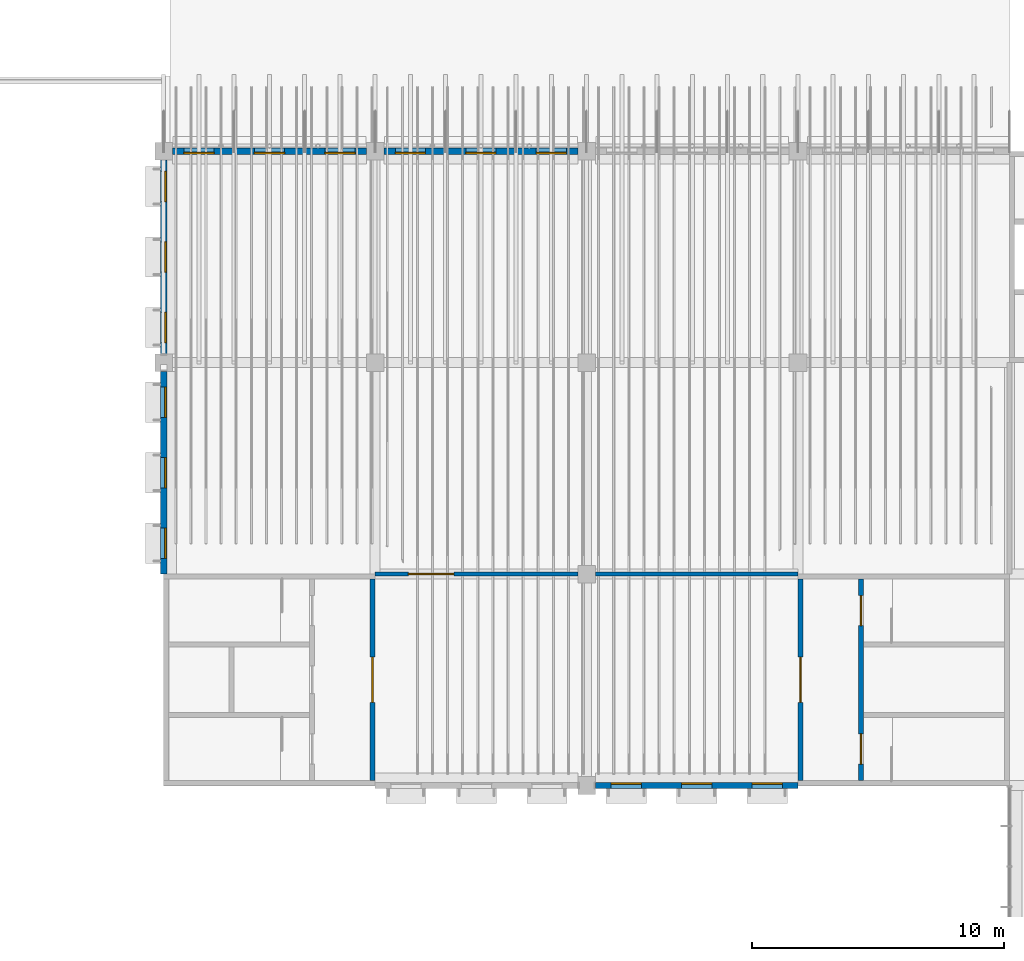
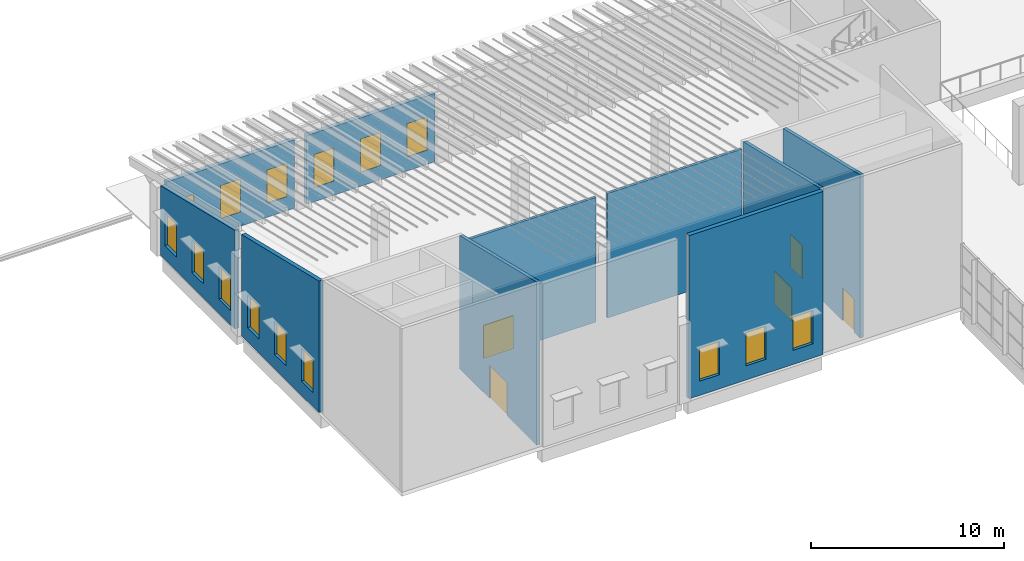
# One storey, part 24 of 82: 15 windows, 10 walls, 5 doors, 20 openings.
"""IFC4 building model written with IfcOpenShell, lengths in metres."""

from ifc_helpers import new_model, si_unit, direction, frame, frame_2d, origin, place, context, subcontext, project, spatial, polyline, rectangle, outline, extrude, material, layer, layer_set, type_object, element, fill, save


model = new_model("IFC4")

# Units and contexts
model_context = context("Model", 3, precision=1e-05, world=origin(), true_north=direction((0.0, 1.0)))
body_context = subcontext(model_context, "Body", "Model", "MODEL_VIEW")
ifc_project = project(units=[si_unit("LENGTHUNIT", "METRE"), si_unit("AREAUNIT", "SQUARE_METRE"), si_unit("VOLUMEUNIT", "CUBIC_METRE"), si_unit("PLANEANGLEUNIT", "RADIAN"), si_unit("MASSUNIT", "GRAM", prefix="KILO")], contexts=[model_context])

# Site, building, storey
site_placement = place(None, origin())
site = spatial("IfcSite", under=ifc_project, at=site_placement, CompositionType="ELEMENT")
building_placement = place(site_placement, origin())
building = spatial("IfcBuilding", under=site, at=building_placement, Name="Almond Square Museum", CompositionType="ELEMENT")
storey_placement = place(building_placement, frame((0.0, 0.0, 20.0)))
storey = spatial("IfcBuildingStorey", under=building, at=storey_placement, Name="L03", CompositionType="ELEMENT", Elevation=20.0)

# Wall, opening, door
ifc_material_1 = material(Name="Plasterboard on steel stud", Category="steel")
ifc_layer_1 = layer(ifc_material_1, 0.14990234375)
ifc_layer_set_1 = layer_set([ifc_layer_1], Name="Plasterboard on steel stud")
wall_type_1 = type_object("IfcWallType", Name="Partition 150 plasterboard on steel stud", PredefinedType="PARTITIONING", material=ifc_layer_set_1)
wall_1_placement = place(storey_placement, frame((48.0, 92.39990234375, 0.0), z_axis=(0.0, 0.0, 1.0), x_axis=(1.0, 0.0, 0.0)))
wall_1 = element("IfcWall", 1, at=wall_1_placement, inside=storey, type_object=wall_type_1, Name="L03 partition 7", PredefinedType="PARTITIONING", context=body_context, shape_type="SweptSolid", body=[
    extrude(rectangle(XDim=8.050048828125, YDim=0.14990234375, at=frame_2d((4.02490234375, 0.0))), origin(), (0.0, 0.0, 1.0), 7.89990234375),
])
opening_1_placement = place(wall_1_placement, frame((1.324951171875, 0.0, 0.0)))
opening_1 = element("IfcOpeningElement", 2, at=opening_1_placement, cuts=wall_1, Name="Opening D3104", PredefinedType="OPENING", context=body_context, shape_type="SweptSolid", body=[
    extrude(rectangle(XDim=1.800048828125, YDim=2.10009765625, at=frame_2d((0.89990234375, 1.050048828125))), frame((0.0, 0.0849609375, 0.0), z_axis=(0.0, -1.0, 0.0), x_axis=(1.0, 0.0, 0.0)), (0.0, 0.0, 1.0), 0.169921875),
])
ifc_material_2 = material(Name="Timber", Category="wood")
door_type_1 = type_object("IfcDoorType", Name="Door 1800 x 2100 timber double", OperationType="NOTDEFINED", PredefinedType="DOOR", material=ifc_material_2)
door_1_placement = place(opening_1_placement, origin())
door_1 = element("IfcDoor", 3, at=door_1_placement, inside=storey, type_object=door_type_1, Name="L03 door Library to Library Concourse", OperationType="DOUBLE_DOOR_SINGLE_SWING", OverallHeight=2.10009765625, OverallWidth=1.800048828125, PredefinedType="DOOR", context=body_context, shape_type="SweptSolid", body=[
    extrude(rectangle(XDim=1.800048828125, YDim=2.10009765625, at=frame_2d((0.89990234375, 1.050048828125))), frame((0.0, 0.02490234375, 0.0), z_axis=(0.0, -1.0, 0.0), x_axis=(1.0, 0.0, 0.0)), (0.0, 0.0, 1.0), 0.050048828125),
])
fill(opening_1, door_1)

# Wall
wall_2_placement = place(storey_placement, frame((56.75, 92.39990234375, 0.0), z_axis=(0.0, 0.0, 1.0), x_axis=(1.0, 0.0, 0.0)))
element("IfcWall", 4, at=wall_2_placement, inside=storey, type_object=wall_type_1, Name="L03 partition 8", PredefinedType="PARTITIONING", context=body_context, shape_type="SweptSolid", body=[
    extrude(rectangle(XDim=8.050048828125, YDim=0.14990234375, at=frame_2d((4.02490234375, 0.0))), origin(), (0.0, 0.0, 1.0), 7.89990234375),
])

# Wall, openings, windows
ifc_material_3 = material(Name="Precast concrete C40/50", Category="concrete")
ifc_layer_2 = layer(ifc_material_3, 0.25)
ifc_layer_set_2 = layer_set([ifc_layer_2], Name="Precast concrete C40/50")
wall_type_2 = type_object("IfcWallType", Name="Precast concrete panel wall 250 with coral limestone piers", PredefinedType="SOLIDWALL", material=ifc_layer_set_2)
wall_3_placement = place(storey_placement, frame((48.35009765625, 109.199951171875, 0.0), z_axis=(0.0, 0.0, 1.0), x_axis=(1.0, 0.0, 0.0)))
wall_3 = element("IfcWall", 5, at=wall_3_placement, inside=storey, type_object=wall_type_2, Name="External wall W2 V4N L03 N03", PredefinedType="SOLIDWALL", context=body_context, shape_type="SweptSolid", body=[
    extrude(rectangle(XDim=7.699951171875, YDim=0.25, at=frame_2d((3.85009765625, 0.0))), origin(), (0.0, 0.0, 1.0), 4.349365234375),
])
opening_2_placement = place(wall_3_placement, frame((0.449951171875, 0.0, 0.89990234375)))
opening_2 = element("IfcOpeningElement", 6, at=opening_2_placement, cuts=wall_3, Name="Opening W3063", PredefinedType="OPENING", context=body_context, shape_type="SweptSolid", body=[
    extrude(rectangle(XDim=1.199951171875, YDim=2.10009765625, at=frame_2d((0.60009765625, 1.050048828125))), frame((0.0, 0.135009765625, 0.0), z_axis=(0.0, -1.0, 0.0), x_axis=(1.0, 0.0, 0.0)), (0.0, 0.0, 1.0), 0.27001953125),
])
opening_3_placement = place(wall_3_placement, frame((3.25, 0.0, 0.89990234375)))
opening_3 = element("IfcOpeningElement", 7, at=opening_3_placement, cuts=wall_3, Name="Opening W3064", PredefinedType="OPENING", context=body_context, shape_type="SweptSolid", body=[
    extrude(rectangle(XDim=1.199951171875, YDim=2.10009765625, at=frame_2d((0.60009765625, 1.050048828125))), frame((0.0, 0.135009765625, 0.0), z_axis=(0.0, -1.0, 0.0), x_axis=(1.0, 0.0, 0.0)), (0.0, 0.0, 1.0), 0.27001953125),
])
opening_4_placement = place(wall_3_placement, frame((6.050048828125, 0.0, 0.89990234375)))
opening_4 = element("IfcOpeningElement", 8, at=opening_4_placement, cuts=wall_3, Name="Opening W3065", PredefinedType="OPENING", context=body_context, shape_type="SweptSolid", body=[
    extrude(rectangle(XDim=1.199951171875, YDim=2.10009765625, at=frame_2d((0.60009765625, 1.050048828125))), frame((0.0, 0.135009765625, 0.0), z_axis=(0.0, -1.0, 0.0), x_axis=(1.0, 0.0, 0.0)), (0.0, 0.0, 1.0), 0.27001953125),
])
ifc_material_4 = material(Name="Anodised aluminium louvre and laminated glass", Category="aluminium")
window_type = type_object("IfcWindowType", Name="Louvred pier window", PartitioningType="SINGLE_PANEL", PredefinedType="WINDOW", material=ifc_material_4)
window_1_placement = place(opening_2_placement, origin())
window_1 = element("IfcWindow", 9, at=window_1_placement, inside=storey, type_object=window_type, Name="Louvred pier window W3063", OverallHeight=2.10009765625, OverallWidth=1.199951171875, PartitioningType="SINGLE_PANEL", PredefinedType="WINDOW", context=body_context, shape_type="SweptSolid", body=[
    extrude(rectangle(XDim=1.199951171875, YDim=2.10009765625, at=frame_2d((0.60009765625, 1.050048828125))), frame((0.0, -0.044921875, 0.0), z_axis=(0.0, -1.0, 0.0), x_axis=(1.0, 0.0, 0.0)), (0.0, 0.0, 1.0), 0.06005859375),
])
fill(opening_2, window_1)
window_2_placement = place(opening_3_placement, origin())
window_2 = element("IfcWindow", 10, at=window_2_placement, inside=storey, type_object=window_type, Name="Louvred pier window W3064", OverallHeight=2.10009765625, OverallWidth=1.199951171875, PartitioningType="SINGLE_PANEL", PredefinedType="WINDOW", context=body_context, shape_type="SweptSolid", body=[
    extrude(rectangle(XDim=1.199951171875, YDim=2.10009765625, at=frame_2d((0.60009765625, 1.050048828125))), frame((0.0, -0.044921875, 0.0), z_axis=(0.0, -1.0, 0.0), x_axis=(1.0, 0.0, 0.0)), (0.0, 0.0, 1.0), 0.06005859375),
])
fill(opening_3, window_2)
window_3_placement = place(opening_4_placement, origin())
window_3 = element("IfcWindow", 11, at=window_3_placement, inside=storey, type_object=window_type, Name="Louvred pier window W3065", OverallHeight=2.10009765625, OverallWidth=1.199951171875, PartitioningType="SINGLE_PANEL", PredefinedType="WINDOW", context=body_context, shape_type="SweptSolid", body=[
    extrude(rectangle(XDim=1.199951171875, YDim=2.10009765625, at=frame_2d((0.60009765625, 1.050048828125))), frame((0.0, -0.044921875, 0.0), z_axis=(0.0, -1.0, 0.0), x_axis=(1.0, 0.0, 0.0)), (0.0, 0.0, 1.0), 0.06005859375),
])
fill(opening_4, window_3)

wall_4_placement = place(storey_placement, frame((39.949951171875, 109.199951171875, 0.0), z_axis=(0.0, 0.0, 1.0), x_axis=(1.0, 0.0, 0.0)))
wall_4 = element("IfcWall", 12, at=wall_4_placement, inside=storey, type_object=wall_type_2, Name="External wall W2 V4N L03 N04", PredefinedType="SOLIDWALL", context=body_context, shape_type="SweptSolid", body=[
    extrude(rectangle(XDim=7.699951171875, YDim=0.25, at=frame_2d((3.85009765625, 0.0))), origin(), (0.0, 0.0, 1.0), 4.349365234375),
])
opening_5_placement = place(wall_4_placement, frame((0.449951171875, 0.0, 0.89990234375)))
opening_5 = element("IfcOpeningElement", 13, at=opening_5_placement, cuts=wall_4, Name="Opening W3066", PredefinedType="OPENING", context=body_context, shape_type="SweptSolid", body=[
    extrude(rectangle(XDim=1.199951171875, YDim=2.10009765625, at=frame_2d((0.60009765625, 1.050048828125))), frame((0.0, 0.135009765625, 0.0), z_axis=(0.0, -1.0, 0.0), x_axis=(1.0, 0.0, 0.0)), (0.0, 0.0, 1.0), 0.27001953125),
])
opening_6_placement = place(wall_4_placement, frame((3.25, 0.0, 0.89990234375)))
opening_6 = element("IfcOpeningElement", 14, at=opening_6_placement, cuts=wall_4, Name="Opening W3067", PredefinedType="OPENING", context=body_context, shape_type="SweptSolid", body=[
    extrude(rectangle(XDim=1.199951171875, YDim=2.10009765625, at=frame_2d((0.60009765625, 1.050048828125))), frame((0.0, 0.135009765625, 0.0), z_axis=(0.0, -1.0, 0.0), x_axis=(1.0, 0.0, 0.0)), (0.0, 0.0, 1.0), 0.27001953125),
])
opening_7_placement = place(wall_4_placement, frame((6.050048828125, 0.0, 0.89990234375)))
opening_7 = element("IfcOpeningElement", 15, at=opening_7_placement, cuts=wall_4, Name="Opening W3068", PredefinedType="OPENING", context=body_context, shape_type="SweptSolid", body=[
    extrude(rectangle(XDim=1.199951171875, YDim=2.10009765625, at=frame_2d((0.60009765625, 1.050048828125))), frame((0.0, 0.135009765625, 0.0), z_axis=(0.0, -1.0, 0.0), x_axis=(1.0, 0.0, 0.0)), (0.0, 0.0, 1.0), 0.27001953125),
])
window_4_placement = place(opening_5_placement, origin())
window_4 = element("IfcWindow", 16, at=window_4_placement, inside=storey, type_object=window_type, Name="Louvred pier window W3066", OverallHeight=2.10009765625, OverallWidth=1.199951171875, PartitioningType="SINGLE_PANEL", PredefinedType="WINDOW", context=body_context, shape_type="SweptSolid", body=[
    extrude(rectangle(XDim=1.199951171875, YDim=2.10009765625, at=frame_2d((0.60009765625, 1.050048828125))), frame((0.0, -0.044921875, 0.0), z_axis=(0.0, -1.0, 0.0), x_axis=(1.0, 0.0, 0.0)), (0.0, 0.0, 1.0), 0.06005859375),
])
fill(opening_5, window_4)
window_5_placement = place(opening_6_placement, origin())
window_5 = element("IfcWindow", 17, at=window_5_placement, inside=storey, type_object=window_type, Name="Louvred pier window W3067", OverallHeight=2.10009765625, OverallWidth=1.199951171875, PartitioningType="SINGLE_PANEL", PredefinedType="WINDOW", context=body_context, shape_type="SweptSolid", body=[
    extrude(rectangle(XDim=1.199951171875, YDim=2.10009765625, at=frame_2d((0.60009765625, 1.050048828125))), frame((0.0, -0.044921875, 0.0), z_axis=(0.0, -1.0, 0.0), x_axis=(1.0, 0.0, 0.0)), (0.0, 0.0, 1.0), 0.06005859375),
])
fill(opening_6, window_5)
window_6_placement = place(opening_7_placement, origin())
window_6 = element("IfcWindow", 18, at=window_6_placement, inside=storey, type_object=window_type, Name="Louvred pier window W3068", OverallHeight=2.10009765625, OverallWidth=1.199951171875, PartitioningType="SINGLE_PANEL", PredefinedType="WINDOW", context=body_context, shape_type="SweptSolid", body=[
    extrude(rectangle(XDim=1.199951171875, YDim=2.10009765625, at=frame_2d((0.60009765625, 1.050048828125))), frame((0.0, -0.044921875, 0.0), z_axis=(0.0, -1.0, 0.0), x_axis=(1.0, 0.0, 0.0)), (0.0, 0.0, 1.0), 0.06005859375),
])
fill(opening_7, window_6)

wall_5_placement = place(storey_placement, frame((39.60009765625, 101.14990234375, 0.0), z_axis=(0.0, 0.0, 1.0), x_axis=(0.0, 1.0, 0.0)))
wall_5 = element("IfcWall", 19, at=wall_5_placement, inside=storey, type_object=wall_type_2, Name="External wall W2 V4N L03 W01", PredefinedType="SOLIDWALL", context=body_context, shape_type="SweptSolid", body=[
    extrude(outline(polyline([(0.0, 0.0), (7.7001953125, 0.0), (7.699951171875, 4.4326171875), (0.0, 6.26611328125), (0.0, 0.0)])), frame((0.0, 0.125, 0.0), z_axis=(0.0, -1.0, 0.0), x_axis=(1.0, 0.0, 0.0)), (0.0, 0.0, 1.0), 0.25),
])
opening_8_placement = place(wall_5_placement, frame((0.449951171875, 0.0, 0.89990234375)))
opening_8 = element("IfcOpeningElement", 20, at=opening_8_placement, cuts=wall_5, Name="Opening W3069", PredefinedType="OPENING", context=body_context, shape_type="SweptSolid", body=[
    extrude(rectangle(XDim=1.199951171875, YDim=2.10009765625, at=frame_2d((0.60009765625, 1.050048828125))), frame((0.0, 0.135009765625, 0.0), z_axis=(0.0, -1.0, 0.0), x_axis=(1.0, 0.0, 0.0)), (0.0, 0.0, 1.0), 0.27001953125),
])
opening_9_placement = place(wall_5_placement, frame((3.25, 0.0, 0.89990234375)))
opening_9 = element("IfcOpeningElement", 21, at=opening_9_placement, cuts=wall_5, Name="Opening W3070", PredefinedType="OPENING", context=body_context, shape_type="SweptSolid", body=[
    extrude(rectangle(XDim=1.199951171875, YDim=2.10009765625, at=frame_2d((0.60009765625, 1.050048828125))), frame((0.0, 0.135009765625, 0.0), z_axis=(0.0, -1.0, 0.0), x_axis=(1.0, 0.0, 0.0)), (0.0, 0.0, 1.0), 0.27001953125),
])
opening_10_placement = place(wall_5_placement, frame((6.050048828125, 0.0, 0.89990234375)))
opening_10 = element("IfcOpeningElement", 22, at=opening_10_placement, cuts=wall_5, Name="Opening W3071", PredefinedType="OPENING", context=body_context, shape_type="SweptSolid", body=[
    extrude(rectangle(XDim=1.199951171875, YDim=2.10009765625, at=frame_2d((0.60009765625, 1.050048828125))), frame((0.0, 0.135009765625, 0.0), z_axis=(0.0, -1.0, 0.0), x_axis=(1.0, 0.0, 0.0)), (0.0, 0.0, 1.0), 0.27001953125),
])
window_7_placement = place(opening_8_placement, origin())
window_7 = element("IfcWindow", 23, at=window_7_placement, inside=storey, type_object=window_type, Name="Louvred pier window W3069", OverallHeight=2.10009765625, OverallWidth=1.199951171875, PartitioningType="SINGLE_PANEL", PredefinedType="WINDOW", context=body_context, shape_type="SweptSolid", body=[
    extrude(rectangle(XDim=1.199951171875, YDim=2.10009765625, at=frame_2d((0.60009765625, 1.050048828125))), frame((0.0, -0.044921875, 0.0), z_axis=(0.0, -1.0, 0.0), x_axis=(1.0, 0.0, 0.0)), (0.0, 0.0, 1.0), 0.06005859375),
])
fill(opening_8, window_7)
window_8_placement = place(opening_9_placement, origin())
window_8 = element("IfcWindow", 24, at=window_8_placement, inside=storey, type_object=window_type, Name="Louvred pier window W3070", OverallHeight=2.10009765625, OverallWidth=1.199951171875, PartitioningType="SINGLE_PANEL", PredefinedType="WINDOW", context=body_context, shape_type="SweptSolid", body=[
    extrude(rectangle(XDim=1.199951171875, YDim=2.10009765625, at=frame_2d((0.60009765625, 1.050048828125))), frame((0.0, -0.044921875, 0.0), z_axis=(0.0, -1.0, 0.0), x_axis=(1.0, 0.0, 0.0)), (0.0, 0.0, 1.0), 0.06005859375),
])
fill(opening_9, window_8)
window_9_placement = place(opening_10_placement, origin())
window_9 = element("IfcWindow", 25, at=window_9_placement, inside=storey, type_object=window_type, Name="Louvred pier window W3071", OverallHeight=2.10009765625, OverallWidth=1.199951171875, PartitioningType="SINGLE_PANEL", PredefinedType="WINDOW", context=body_context, shape_type="SweptSolid", body=[
    extrude(rectangle(XDim=1.199951171875, YDim=2.10009765625, at=frame_2d((0.60009765625, 1.050048828125))), frame((0.0, -0.044921875, 0.0), z_axis=(0.0, -1.0, 0.0), x_axis=(1.0, 0.0, 0.0)), (0.0, 0.0, 1.0), 0.06005859375),
])
fill(opening_10, window_9)

wall_6_placement = place(storey_placement, frame((39.60009765625, 92.39990234375, 0.0), z_axis=(0.0, 0.0, 1.0), x_axis=(0.0, 1.0, 0.0)))
wall_6 = element("IfcWall", 26, at=wall_6_placement, inside=storey, type_object=wall_type_2, Name="External wall W2 V4N L03 W02", PredefinedType="SOLIDWALL", context=body_context, shape_type="SweptSolid", body=[
    extrude(outline(polyline([(0.0, 0.0), (8.050048828125, 0.0), (8.050048828125, 6.4326171875), (0.0, 8.349365234375), (0.0, 0.0)])), frame((0.0, 0.125, 0.0), z_axis=(0.0, -1.0, 0.0), x_axis=(1.0, 0.0, 0.0)), (0.0, 0.0, 1.0), 0.25),
])
opening_11_placement = place(wall_6_placement, frame((0.625, 0.0, 0.89990234375)))
opening_11 = element("IfcOpeningElement", 27, at=opening_11_placement, cuts=wall_6, Name="Opening W3072", PredefinedType="OPENING", context=body_context, shape_type="SweptSolid", body=[
    extrude(rectangle(XDim=1.199951171875, YDim=2.10009765625, at=frame_2d((0.60009765625, 1.050048828125))), frame((0.0, 0.135009765625, 0.0), z_axis=(0.0, -1.0, 0.0), x_axis=(1.0, 0.0, 0.0)), (0.0, 0.0, 1.0), 0.27001953125),
])
opening_12_placement = place(wall_6_placement, frame((3.425048828125, 0.0, 0.89990234375)))
opening_12 = element("IfcOpeningElement", 28, at=opening_12_placement, cuts=wall_6, Name="Opening W3073", PredefinedType="OPENING", context=body_context, shape_type="SweptSolid", body=[
    extrude(rectangle(XDim=1.199951171875, YDim=2.10009765625, at=frame_2d((0.60009765625, 1.050048828125))), frame((0.0, 0.135009765625, 0.0), z_axis=(0.0, -1.0, 0.0), x_axis=(1.0, 0.0, 0.0)), (0.0, 0.0, 1.0), 0.27001953125),
])
opening_13_placement = place(wall_6_placement, frame((6.22509765625, 0.0, 0.89990234375)))
opening_13 = element("IfcOpeningElement", 29, at=opening_13_placement, cuts=wall_6, Name="Opening W3074", PredefinedType="OPENING", context=body_context, shape_type="SweptSolid", body=[
    extrude(rectangle(XDim=1.199951171875, YDim=2.10009765625, at=frame_2d((0.60009765625, 1.050048828125))), frame((0.0, 0.135009765625, 0.0), z_axis=(0.0, -1.0, 0.0), x_axis=(1.0, 0.0, 0.0)), (0.0, 0.0, 1.0), 0.27001953125),
])
window_10_placement = place(opening_11_placement, origin())
window_10 = element("IfcWindow", 30, at=window_10_placement, inside=storey, type_object=window_type, Name="Louvred pier window W3072", OverallHeight=2.10009765625, OverallWidth=1.199951171875, PartitioningType="SINGLE_PANEL", PredefinedType="WINDOW", context=body_context, shape_type="SweptSolid", body=[
    extrude(rectangle(XDim=1.199951171875, YDim=2.10009765625, at=frame_2d((0.60009765625, 1.050048828125))), frame((0.0, -0.044921875, 0.0), z_axis=(0.0, -1.0, 0.0), x_axis=(1.0, 0.0, 0.0)), (0.0, 0.0, 1.0), 0.06005859375),
])
fill(opening_11, window_10)
window_11_placement = place(opening_12_placement, origin())
window_11 = element("IfcWindow", 31, at=window_11_placement, inside=storey, type_object=window_type, Name="Louvred pier window W3073", OverallHeight=2.10009765625, OverallWidth=1.199951171875, PartitioningType="SINGLE_PANEL", PredefinedType="WINDOW", context=body_context, shape_type="SweptSolid", body=[
    extrude(rectangle(XDim=1.199951171875, YDim=2.10009765625, at=frame_2d((0.60009765625, 1.050048828125))), frame((0.0, -0.044921875, 0.0), z_axis=(0.0, -1.0, 0.0), x_axis=(1.0, 0.0, 0.0)), (0.0, 0.0, 1.0), 0.06005859375),
])
fill(opening_12, window_11)
window_12_placement = place(opening_13_placement, origin())
window_12 = element("IfcWindow", 32, at=window_12_placement, inside=storey, type_object=window_type, Name="Louvred pier window W3074", OverallHeight=2.10009765625, OverallWidth=1.199951171875, PartitioningType="SINGLE_PANEL", PredefinedType="WINDOW", context=body_context, shape_type="SweptSolid", body=[
    extrude(rectangle(XDim=1.199951171875, YDim=2.10009765625, at=frame_2d((0.60009765625, 1.050048828125))), frame((0.0, -0.044921875, 0.0), z_axis=(0.0, -1.0, 0.0), x_axis=(1.0, 0.0, 0.0)), (0.0, 0.0, 1.0), 0.06005859375),
])
fill(opening_13, window_12)

wall_7_placement = place(storey_placement, frame((56.75, 84.0, 0.0), z_axis=(0.0, 0.0, 1.0), x_axis=(1.0, 0.0, 0.0)))
wall_7 = element("IfcWall", 33, at=wall_7_placement, inside=storey, type_object=wall_type_2, Name="External wall W2 V4N L03 S02", PredefinedType="SOLIDWALL", context=body_context, shape_type="SweptSolid", body=[
    extrude(rectangle(XDim=8.050048828125, YDim=0.25, at=frame_2d((4.02490234375, 0.0))), origin(), (0.0, 0.0, 1.0), 10.349365234375),
])
opening_14_placement = place(wall_7_placement, frame((0.625, 0.0, 0.89990234375)))
opening_14 = element("IfcOpeningElement", 34, at=opening_14_placement, cuts=wall_7, Name="Opening W3078", PredefinedType="OPENING", context=body_context, shape_type="SweptSolid", body=[
    extrude(rectangle(XDim=1.199951171875, YDim=2.10009765625, at=frame_2d((0.60009765625, 1.050048828125))), frame((0.0, 0.135009765625, 0.0), z_axis=(0.0, -1.0, 0.0), x_axis=(1.0, 0.0, 0.0)), (0.0, 0.0, 1.0), 0.27001953125),
])
opening_15_placement = place(wall_7_placement, frame((3.425048828125, 0.0, 0.89990234375)))
opening_15 = element("IfcOpeningElement", 35, at=opening_15_placement, cuts=wall_7, Name="Opening W3079", PredefinedType="OPENING", context=body_context, shape_type="SweptSolid", body=[
    extrude(rectangle(XDim=1.199951171875, YDim=2.10009765625, at=frame_2d((0.60009765625, 1.050048828125))), frame((0.0, 0.135009765625, 0.0), z_axis=(0.0, -1.0, 0.0), x_axis=(1.0, 0.0, 0.0)), (0.0, 0.0, 1.0), 0.27001953125),
])
opening_16_placement = place(wall_7_placement, frame((6.22509765625, 0.0, 0.89990234375)))
opening_16 = element("IfcOpeningElement", 36, at=opening_16_placement, cuts=wall_7, Name="Opening W3080", PredefinedType="OPENING", context=body_context, shape_type="SweptSolid", body=[
    extrude(rectangle(XDim=1.199951171875, YDim=2.10009765625, at=frame_2d((0.60009765625, 1.050048828125))), frame((0.0, 0.135009765625, 0.0), z_axis=(0.0, -1.0, 0.0), x_axis=(1.0, 0.0, 0.0)), (0.0, 0.0, 1.0), 0.27001953125),
])
window_13_placement = place(opening_14_placement, origin())
window_13 = element("IfcWindow", 37, at=window_13_placement, inside=storey, type_object=window_type, Name="Louvred pier window W3078", OverallHeight=2.10009765625, OverallWidth=1.199951171875, PartitioningType="SINGLE_PANEL", PredefinedType="WINDOW", context=body_context, shape_type="SweptSolid", body=[
    extrude(rectangle(XDim=1.199951171875, YDim=2.10009765625, at=frame_2d((0.60009765625, 1.050048828125))), frame((0.0, 0.10498046875, 0.0), z_axis=(0.0, -1.0, 0.0), x_axis=(1.0, 0.0, 0.0)), (0.0, 0.0, 1.0), 0.06005859375),
])
fill(opening_14, window_13)
window_14_placement = place(opening_15_placement, origin())
window_14 = element("IfcWindow", 38, at=window_14_placement, inside=storey, type_object=window_type, Name="Louvred pier window W3079", OverallHeight=2.10009765625, OverallWidth=1.199951171875, PartitioningType="SINGLE_PANEL", PredefinedType="WINDOW", context=body_context, shape_type="SweptSolid", body=[
    extrude(rectangle(XDim=1.199951171875, YDim=2.10009765625, at=frame_2d((0.60009765625, 1.050048828125))), frame((0.0, 0.10498046875, 0.0), z_axis=(0.0, -1.0, 0.0), x_axis=(1.0, 0.0, 0.0)), (0.0, 0.0, 1.0), 0.06005859375),
])
fill(opening_15, window_14)
window_15_placement = place(opening_16_placement, origin())
window_15 = element("IfcWindow", 39, at=window_15_placement, inside=storey, type_object=window_type, Name="Louvred pier window W3080", OverallHeight=2.10009765625, OverallWidth=1.199951171875, PartitioningType="SINGLE_PANEL", PredefinedType="WINDOW", context=body_context, shape_type="SweptSolid", body=[
    extrude(rectangle(XDim=1.199951171875, YDim=2.10009765625, at=frame_2d((0.60009765625, 1.050048828125))), frame((0.0, 0.10498046875, 0.0), z_axis=(0.0, -1.0, 0.0), x_axis=(1.0, 0.0, 0.0)), (0.0, 0.0, 1.0), 0.06005859375),
])
fill(opening_16, window_15)

# Wall, opening, door
ifc_material_5 = material(Name="Concrete C40/50", Category="concrete")
ifc_layer_3 = layer(ifc_material_5, 0.199951171875)
ifc_layer_set_3 = layer_set([ifc_layer_3], Name="Concrete C40/50")
wall_type_3 = type_object("IfcWallType", Name="RC shear wall 200 C40/50", PredefinedType="SHEAR", material=ifc_layer_set_3)
wall_8_placement = place(storey_placement, frame((47.89990234375, 84.199951171875, 0.0), z_axis=(0.0, 0.0, 1.0), x_axis=(0.0, 1.0, 0.0)))
wall_8 = element("IfcWall", 40, at=wall_8_placement, inside=storey, type_object=wall_type_3, Name="Core N1 east wall L03", PredefinedType="SHEAR", context=body_context, shape_type="SweptSolid", body=[
    extrude(outline(polyline([(0.0, 0.0), (8.0, 0.0), (8.0, 8.447998046875), (7.70361328125, 8.51806640625), (7.407470703125, 8.589111328125), (7.111083984375, 8.658935546875), (6.814697265625, 8.72998046875), (6.5185546875, 8.800048828125), (6.22216796875, 8.87109375), (5.92578125, 8.94091796875), (5.333251953125, 9.0830078125), (5.037109375, 9.153076171875), (4.74072265625, 9.22412109375), (4.4443359375, 9.2939453125), (4.148193359375, 9.364990234375), (3.851806640625, 9.43505859375), (3.5556640625, 9.506103515625), (3.25927734375, 9.575927734375), (2.962890625, 9.64697265625), (2.666748046875, 9.717041015625), (2.07421875, 9.85888671875), (1.77783203125, 9.928955078125), (1.4814453125, 10.0), (1.185302734375, 10.070068359375), (0.888916015625, 10.14111328125), (0.592529296875, 10.2109375), (0.29638671875, 10.281982421875), (0.0, 10.35205078125), (0.0, 0.0)])), frame((0.0, 0.10009765625, 0.0), z_axis=(0.0, -1.0, 0.0), x_axis=(1.0, 0.0, 0.0)), (0.0, 0.0, 1.0), 0.199951171875),
])
opening_17_placement = place(wall_8_placement, frame((3.10009765625, 0.0, 0.0)))
opening_17 = element("IfcOpeningElement", 41, at=opening_17_placement, cuts=wall_8, Name="Opening D3157", PredefinedType="OPENING", context=body_context, shape_type="SweptSolid", body=[
    extrude(rectangle(XDim=1.800048828125, YDim=2.10009765625, at=frame_2d((0.89990234375, 1.050048828125))), frame((0.0, 0.10986328125, 0.0), z_axis=(0.0, -1.0, 0.0), x_axis=(1.0, 0.0, 0.0)), (0.0, 0.0, 1.0), 0.219970703125),
])
ifc_material_6 = material(Name="Steel", Category="steel")
door_type_2 = type_object("IfcDoorType", Name="Fire door 1800 x 2100 FD60 double", OperationType="NOTDEFINED", PredefinedType="DOOR", material=ifc_material_6)
door_2_placement = place(opening_17_placement, origin())
door_2 = element("IfcDoor", 42, at=door_2_placement, inside=storey, type_object=door_type_2, Name="L03 stair core N1 lobby door", OperationType="DOUBLE_DOOR_SINGLE_SWING", OverallHeight=2.10009765625, OverallWidth=1.800048828125, PredefinedType="DOOR", context=body_context, shape_type="SweptSolid", body=[
    extrude(rectangle(XDim=1.800048828125, YDim=2.10009765625, at=frame_2d((0.89990234375, 1.050048828125))), frame((0.0, 0.02490234375, 0.0), z_axis=(0.0, -1.0, 0.0), x_axis=(1.0, 0.0, 0.0)), (0.0, 0.0, 1.0), 0.050048828125),
])
fill(opening_17, door_2)

wall_9_placement = place(storey_placement, frame((64.89990234375, 84.199951171875, 0.0), z_axis=(0.0, 0.0, 1.0), x_axis=(0.0, 1.0, 0.0)))
wall_9 = element("IfcWall", 43, at=wall_9_placement, inside=storey, type_object=wall_type_3, Name="Core N2 west wall L03", PredefinedType="SHEAR", context=body_context, shape_type="SweptSolid", body=[
    extrude(outline(polyline([(0.0, 0.0), (8.0, 0.0), (8.0, 8.447998046875), (7.70361328125, 8.51806640625), (7.407470703125, 8.589111328125), (7.111083984375, 8.658935546875), (6.814697265625, 8.72998046875), (6.5185546875, 8.800048828125), (6.22216796875, 8.87109375), (5.92578125, 8.94091796875), (5.333251953125, 9.0830078125), (5.037109375, 9.153076171875), (4.74072265625, 9.22412109375), (4.4443359375, 9.2939453125), (4.148193359375, 9.364990234375), (3.851806640625, 9.43505859375), (3.5556640625, 9.506103515625), (3.25927734375, 9.575927734375), (2.962890625, 9.64697265625), (2.666748046875, 9.717041015625), (2.07421875, 9.85888671875), (1.77783203125, 9.928955078125), (1.4814453125, 10.0), (1.185302734375, 10.070068359375), (0.888916015625, 10.14111328125), (0.592529296875, 10.2109375), (0.29638671875, 10.281982421875), (0.0, 10.35205078125), (0.0, 0.0)])), frame((0.0, 0.10009765625, 0.0), z_axis=(0.0, -1.0, 0.0), x_axis=(1.0, 0.0, 0.0)), (0.0, 0.0, 1.0), 0.199951171875),
])
opening_18_placement = place(wall_9_placement, frame((3.10009765625, 0.0, 0.0)))
opening_18 = element("IfcOpeningElement", 44, at=opening_18_placement, cuts=wall_9, Name="Opening D3161", PredefinedType="OPENING", context=body_context, shape_type="SweptSolid", body=[
    extrude(rectangle(XDim=1.800048828125, YDim=2.10009765625, at=frame_2d((0.89990234375, 1.050048828125))), frame((0.0, 0.10986328125, 0.0), z_axis=(0.0, -1.0, 0.0), x_axis=(1.0, 0.0, 0.0)), (0.0, 0.0, 1.0), 0.219970703125),
])
door_3_placement = place(opening_18_placement, origin())
door_3 = element("IfcDoor", 45, at=door_3_placement, inside=storey, type_object=door_type_2, Name="L03 stair core N2 lobby door", OperationType="DOUBLE_DOOR_SINGLE_SWING", OverallHeight=2.10009765625, OverallWidth=1.800048828125, PredefinedType="DOOR", context=body_context, shape_type="SweptSolid", body=[
    extrude(rectangle(XDim=1.800048828125, YDim=2.10009765625, at=frame_2d((0.89990234375, 1.050048828125))), frame((0.0, 0.02490234375, 0.0), z_axis=(0.0, -1.0, 0.0), x_axis=(1.0, 0.0, 0.0)), (0.0, 0.0, 1.0), 0.050048828125),
])
fill(opening_18, door_3)

# Wall, openings, doors
wall_10_placement = place(storey_placement, frame((67.300048828125, 84.199951171875, 0.0), z_axis=(0.0, 0.0, 1.0), x_axis=(0.0, 1.0, 0.0)))
wall_10 = element("IfcWall", 46, at=wall_10_placement, inside=storey, type_object=wall_type_3, Name="Core N2 lobby wall L03", PredefinedType="SHEAR", context=body_context, shape_type="SweptSolid", body=[
    extrude(outline(polyline([(0.0, 0.0), (8.0, 0.0), (8.0, 8.447998046875), (7.70361328125, 8.51806640625), (7.407470703125, 8.589111328125), (7.111083984375, 8.658935546875), (6.814697265625, 8.72998046875), (6.5185546875, 8.800048828125), (6.22216796875, 8.87109375), (5.92578125, 8.94091796875), (5.333251953125, 9.0830078125), (5.037109375, 9.153076171875), (4.74072265625, 9.22412109375), (4.4443359375, 9.2939453125), (4.148193359375, 9.364990234375), (3.851806640625, 9.43505859375), (3.5556640625, 9.506103515625), (3.25927734375, 9.575927734375), (2.962890625, 9.64697265625), (2.666748046875, 9.717041015625), (2.07421875, 9.85888671875), (1.77783203125, 9.928955078125), (1.4814453125, 10.0), (1.185302734375, 10.070068359375), (0.888916015625, 10.14111328125), (0.592529296875, 10.2109375), (0.29638671875, 10.281982421875), (0.0, 10.35205078125), (0.0, 0.0)])), frame((0.0, 0.10009765625, 0.0), z_axis=(0.0, -1.0, 0.0), x_axis=(1.0, 0.0, 0.0)), (0.0, 0.0, 1.0), 0.199951171875),
])
opening_19_placement = place(wall_10_placement, frame((0.64990234375, 0.0, 0.0)))
opening_19 = element("IfcOpeningElement", 47, at=opening_19_placement, cuts=wall_10, Name="Opening D3162", PredefinedType="OPENING", context=body_context, shape_type="SweptSolid", body=[
    extrude(rectangle(XDim=1.199951171875, YDim=2.10009765625, at=frame_2d((0.60009765625, 1.050048828125))), frame((0.0, 0.10986328125, 0.0), z_axis=(0.0, -1.0, 0.0), x_axis=(1.0, 0.0, 0.0)), (0.0, 0.0, 1.0), 0.219970703125),
])
opening_20_placement = place(wall_10_placement, frame((6.14990234375, 0.0, 0.0)))
opening_20 = element("IfcOpeningElement", 48, at=opening_20_placement, cuts=wall_10, Name="Opening D3163", PredefinedType="OPENING", context=body_context, shape_type="SweptSolid", body=[
    extrude(rectangle(XDim=1.199951171875, YDim=2.10009765625, at=frame_2d((0.60009765625, 1.050048828125))), frame((0.0, 0.10986328125, 0.0), z_axis=(0.0, -1.0, 0.0), x_axis=(1.0, 0.0, 0.0)), (0.0, 0.0, 1.0), 0.219970703125),
])
ifc_material_7 = material(Name="Steel", Category="steel")
door_type_3 = type_object("IfcDoorType", Name="Fire door 1200 x 2100 FD120 stair", OperationType="NOTDEFINED", PredefinedType="DOOR", material=ifc_material_7)
door_4_placement = place(opening_19_placement, origin())
door_4 = element("IfcDoor", 49, at=door_4_placement, inside=storey, type_object=door_type_3, Name="L03 stair N2-1 door", OperationType="SINGLE_SWING_LEFT", OverallHeight=2.10009765625, OverallWidth=1.199951171875, PredefinedType="DOOR", context=body_context, shape_type="SweptSolid", body=[
    extrude(rectangle(XDim=1.199951171875, YDim=2.10009765625, at=frame_2d((0.60009765625, 1.050048828125))), frame((0.0, 0.02490234375, 0.0), z_axis=(0.0, -1.0, 0.0), x_axis=(1.0, 0.0, 0.0)), (0.0, 0.0, 1.0), 0.050048828125),
])
fill(opening_19, door_4)
door_5_placement = place(opening_20_placement, origin())
door_5 = element("IfcDoor", 50, at=door_5_placement, inside=storey, type_object=door_type_3, Name="L03 stair N2-2 door", OperationType="SINGLE_SWING_RIGHT", OverallHeight=2.10009765625, OverallWidth=1.199951171875, PredefinedType="DOOR", context=body_context, shape_type="SweptSolid", body=[
    extrude(rectangle(XDim=1.199951171875, YDim=2.10009765625, at=frame_2d((0.60009765625, 1.050048828125))), frame((0.0, 0.02490234375, 0.0), z_axis=(0.0, -1.0, 0.0), x_axis=(1.0, 0.0, 0.0)), (0.0, 0.0, 1.0), 0.050048828125),
])
fill(opening_20, door_5)

save(model, "model.ifc")
